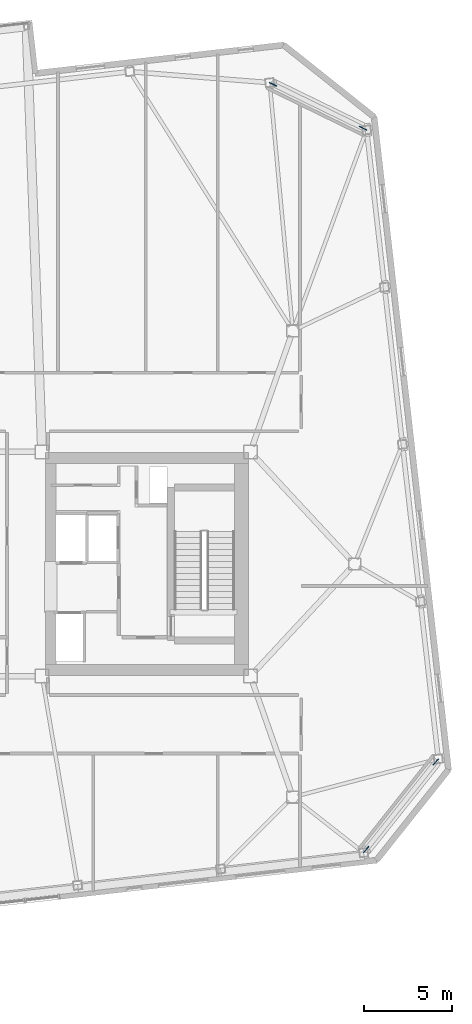
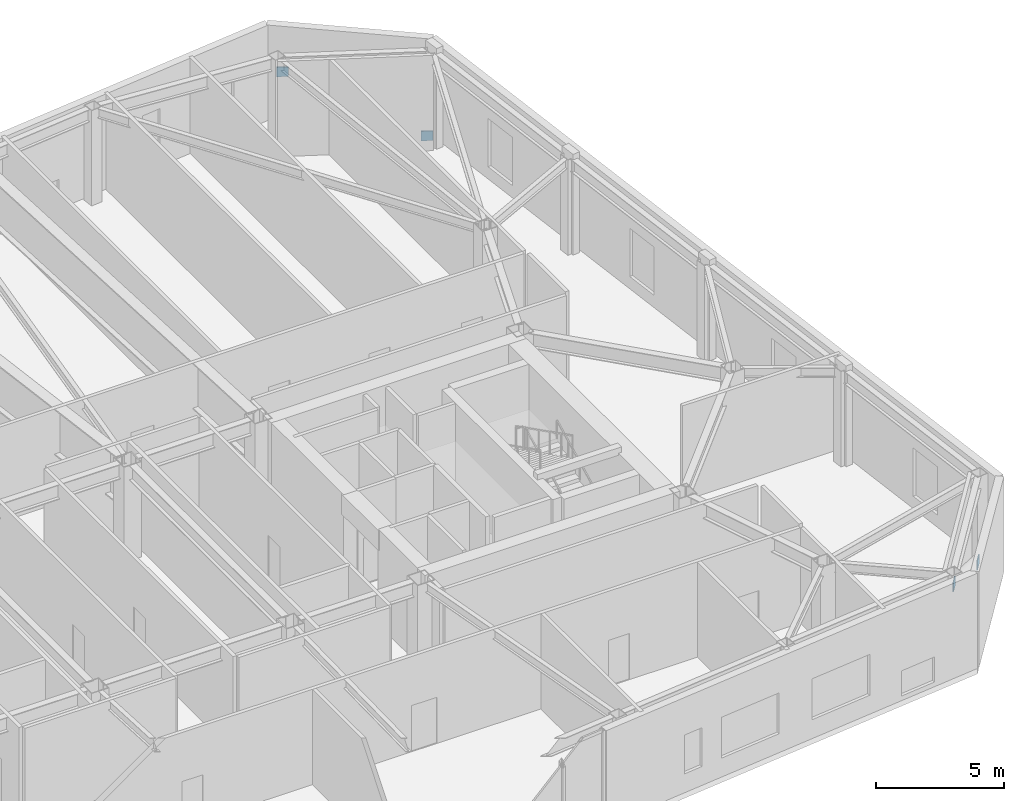
# One storey, part 20 of 21: 4 discrete accessories.
"""IFC4 building model written with IfcOpenShell, lengths in metres."""

from ifc_helpers import new_model, si_unit, direction, frame, origin, origin_2d, place, context, subcontext, project, spatial, rectangle, extrude, material, type_object, element, save


model = new_model("IFC4")

# Units and contexts
model_context = context("Model", 3, precision=1e-05, world=origin(), true_north=direction((0.0, 1.0)))
body_context = subcontext(model_context, "Body", "Model", "MODEL_VIEW")
ifc_project = project(units=[si_unit("LENGTHUNIT", "METRE"), si_unit("AREAUNIT", "SQUARE_METRE"), si_unit("VOLUMEUNIT", "CUBIC_METRE"), si_unit("PLANEANGLEUNIT", "RADIAN"), si_unit("MASSUNIT", "GRAM", prefix="KILO")], contexts=[model_context])

# Site, building, storey
site_placement = place(None, origin())
site = spatial("IfcSite", under=ifc_project, at=site_placement, CompositionType="ELEMENT")
building_placement = place(site_placement, origin())
building = spatial("IfcBuilding", under=site, at=building_placement, Name="Tavrogorsk Clinical Tower", CompositionType="ELEMENT")
storey_placement = place(building_placement, frame((0.0, 0.0, 238.199951171875)))
storey = spatial("IfcBuildingStorey", under=building, at=storey_placement, Name="L55", CompositionType="ELEMENT", Elevation=238.199951171875)

# Discrete accessories
ifc_material = material(Name="Structural steel S440", Category="steel")
discrete_accessory_type = type_object("IfcDiscreteAccessoryType", Name="GussetPlateBracket_25", PredefinedType="BRACKET", material=ifc_material)
for number, where, z_axis, x_axis, name in (
    (1, (32.592529296875, -11.21142578125, 0.190673828125), (0.0, 0.0, 1.0), (-0.622514636638, -0.782608156852, 0.0), "L55 Brace Gusset Plate EXOCRN-L55-1-A"),
    (2, (28.650634765625, -16.1669921875, 3.53955078125), (0.0, 0.0, 1.0), (-0.622514636638, -0.782608156852, 0.0), "L55 Brace Gusset Plate EXOCRN-L55-1-B"),
    (3, (28.477294921875, 24.674072265625, 0.200927734375), (0.0, 0.0, 1.0), (-0.898794046299, 0.438371146789, 0.0), "L55 Brace Gusset Plate EXOCRN-L55-2-A"),
    (4, (23.38818359375, 27.156005859375, 3.529296875), (0.0, 0.0, 1.0), (-0.898794046299, 0.438371146789, 0.0), "L55 Brace Gusset Plate EXOCRN-L55-2-B"),
):
    element("IfcDiscreteAccessory", number, at=place(storey_placement, frame(where, z_axis=z_axis, x_axis=x_axis)), inside=storey, type_object=discrete_accessory_type, Name=name, PredefinedType="BRACKET", context=body_context, shape_type="SweptSolid", body=[
        extrude(rectangle(XDim=0.4599609375, YDim=0.0400390625, at=origin_2d()), origin(), (0.0, 0.0, 1.0), 0.4599609375),
    ])

save(model, "model.ifc")
